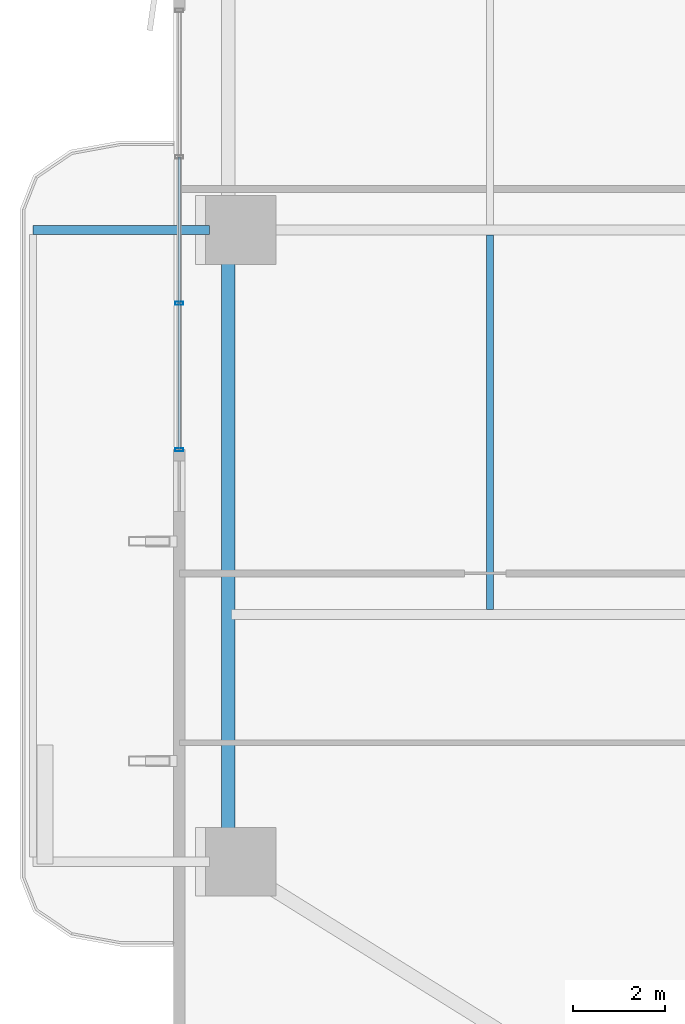
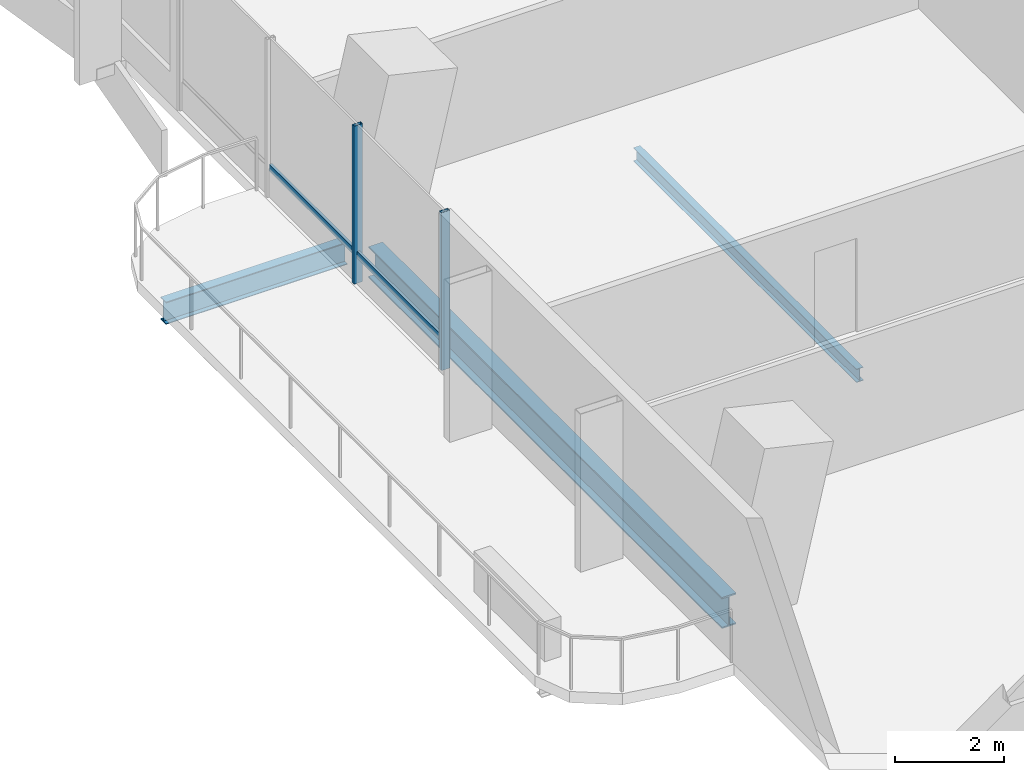
# One storey, part 4 of 24: 4 members, 3 beams, 1 element without a shape of its own.
"""IFC4 building model written with IfcOpenShell, lengths in metres."""

from ifc_helpers import new_model, si_unit, direction, frame, origin, origin_2d, place, context, subcontext, project, spatial, hollow_rectangle, i_section, extrude, material, layer, layer_set, material_profile, profile_set, type_object, element, aggregate, save


model = new_model("IFC4")

# Units and contexts
model_context = context("Model", 3, precision=1e-05, world=origin(), true_north=direction((0.0, 1.0)))
body_context = subcontext(model_context, "Body", "Model", "MODEL_VIEW")
ifc_project = project(units=[si_unit("LENGTHUNIT", "METRE"), si_unit("AREAUNIT", "SQUARE_METRE"), si_unit("VOLUMEUNIT", "CUBIC_METRE"), si_unit("PLANEANGLEUNIT", "RADIAN"), si_unit("MASSUNIT", "GRAM", prefix="KILO")], contexts=[model_context])

# Site, building, storey
site_placement = place(None, origin())
site = spatial("IfcSite", under=ifc_project, at=site_placement, CompositionType="ELEMENT")
building_placement = place(site_placement, origin())
building = spatial("IfcBuilding", under=site, at=building_placement, Name="Belovzor Exchange Tower", CompositionType="ELEMENT")
storey_placement = place(building_placement, frame((0.0, 0.0, 104.10009765625)))
storey = spatial("IfcBuildingStorey", under=building, at=storey_placement, Name="L25", CompositionType="ELEMENT", Elevation=104.10009765625)

# Beams
ifc_material_1 = material(Name="Steel S355", Category="steel")
ifc_material_profile_1 = material_profile(ifc_material_1, i_section(OverallWidth=0.199951171875, OverallDepth=0.5, WebThickness=0.01025390625, FlangeThickness=0.01611328125, at=origin_2d()))
ifc_profile_set_1 = profile_set([ifc_material_profile_1], Name="Steel S355")
beam_type_1 = type_object("IfcBeamType", Name="Planted Balcony Cantilever Beam IPE 500", PredefinedType="BEAM", material=ifc_profile_set_1)
beam_1_placement = place(storey_placement, frame((1.68798828125, 28.800048828125, -0.5), z_axis=(-1.0, 0.0, 0.0), x_axis=(0.0, -1.0, 0.0)))
element("IfcBeam", 1, at=beam_1_placement, inside=storey, type_object=beam_type_1, Name="BC-500 Planted Balcony Cantilever Beam IPE 500", PredefinedType="BEAM", context=body_context, shape_type="SweptSolid", body=[
    extrude(i_section(OverallWidth=0.199951171875, OverallDepth=0.5, WebThickness=0.01025390625, FlangeThickness=0.01611328125, at=origin_2d()), origin(), (0.0, 0.0, 1.0), 3.85009765625),
])
ifc_material_2 = material(Name="Steel S355", Category="steel")
ifc_material_profile_2 = material_profile(ifc_material_2, i_section(OverallWidth=0.14990234375, OverallDepth=0.300048828125, WebThickness=0.007080078125, FlangeThickness=0.0107421875, at=origin_2d()))
ifc_profile_set_2 = profile_set([ifc_material_profile_2], Name="Steel S355")
beam_type_2 = type_object("IfcBeamType", Name="Secondary Trim Floor Joist IPE 300", PredefinedType="BEAM", material=ifc_profile_set_2)
beam_2_placement = place(storey_placement, frame((7.81494140625, 20.5048828125, -0.400146484375), z_axis=(0.0, 1.0, 0.0), x_axis=(-1.0, 0.0, 0.0)))
element("IfcBeam", 2, at=beam_2_placement, inside=storey, type_object=beam_type_2, Name="FJ-300 Secondary Trim Floor Joist IPE 300", PredefinedType="BEAM", context=body_context, shape_type="SweptSolid", body=[
    extrude(i_section(OverallWidth=0.14990234375, OverallDepth=0.300048828125, WebThickness=0.007080078125, FlangeThickness=0.0107421875, at=origin_2d()), origin(), (0.0, 0.0, 1.0), 8.190185546875),
])

# Curtain wall, members
ifc_material_3 = material(Name="Anodised Aluminium Framing", Category="aluminium")
ifc_layer = layer(ifc_material_3, 0.179931640625)
ifc_layer_set = layer_set([ifc_layer], Name="Anodised Aluminium Framing")
curtain_wall_type = type_object("IfcCurtainWallType", Name="Recessed Loggia Low-Iron Triple-Glazed Curtain Wall", PredefinedType="NOTDEFINED", material=ifc_layer_set)
curtain_wall_placement = place(storey_placement, origin())
curtain_wall = element("IfcCurtainWall", 3, at=curtain_wall_placement, inside=storey, type_object=curtain_wall_type, Name="CW3 Recessed Loggia Low-Iron Triple-Glazed Curtain Wall L25", PredefinedType="NOTDEFINED")
ifc_material_4 = material(Name="Steel S355", Category="steel")
ifc_material_profile_3 = material_profile(ifc_material_4, hollow_rectangle(XDim=0.074951171875, YDim=0.179931640625, WallThickness=0.0048828125, at=origin_2d()))
ifc_profile_set_3 = profile_set([ifc_material_profile_3], Name="Steel S355")
member_type_1 = type_object("IfcMemberType", Name="Thermally Broken Curtain Wall Mullion 180x75", PredefinedType="MULLION", material=ifc_profile_set_3)
member_1_placement = place(storey_placement, frame((1.030029296875, 24.0, 0.0), z_axis=(0.0, 0.0, 1.0), x_axis=(0.0, 1.0, 0.0)))
member_1 = element("IfcMember", 4, at=member_1_placement, type_object=member_type_1, Name="CW-M180 Curtain Wall Mullion 1", PredefinedType="MULLION", context=body_context, shape_type="SweptSolid", body=[
    extrude(hollow_rectangle(XDim=0.074951171875, YDim=0.179931640625, WallThickness=0.0048828125, at=origin_2d()), origin(), (0.0, 0.0, 1.0), 3.539794921875),
])
member_2_placement = place(storey_placement, frame((1.030029296875, 27.199951171875, 0.0), z_axis=(0.0, 0.0, 1.0), x_axis=(0.0, 1.0, 0.0)))
member_2 = element("IfcMember", 5, at=member_2_placement, type_object=member_type_1, Name="CW-M180 Curtain Wall Mullion 2", PredefinedType="MULLION", context=body_context, shape_type="SweptSolid", body=[
    extrude(hollow_rectangle(XDim=0.074951171875, YDim=0.179931640625, WallThickness=0.0048828125, at=origin_2d()), origin(), (0.0, 0.0, 1.0), 3.539794921875),
])
ifc_material_5 = material(Name="Steel S355", Category="steel")
ifc_material_profile_4 = material_profile(ifc_material_5, hollow_rectangle(XDim=0.06005859375, YDim=0.14990234375, WallThickness=0.00390625, at=origin_2d()))
ifc_profile_set_4 = profile_set([ifc_material_profile_4], Name="Steel S355")
member_type_2 = type_object("IfcMemberType", Name="Thermally Broken Curtain Wall Transom 150x60", PredefinedType="USERDEFINED", material=ifc_profile_set_4)
member_3_placement = place(storey_placement, frame((1.030029296875, 24.008056640625, 0.636962890625), z_axis=(0.0, 1.0, 0.0), x_axis=(-1.0, 0.0, 0.0)))
member_3 = element("IfcMember", 6, at=member_3_placement, type_object=member_type_2, Name="CW-T150 Curtain Wall Transom 1", ObjectType="TRANSOM", PredefinedType="USERDEFINED", context=body_context, shape_type="SweptSolid", body=[
    extrude(hollow_rectangle(XDim=0.06005859375, YDim=0.14990234375, WallThickness=0.00390625, at=origin_2d()), origin(), (0.0, 0.0, 1.0), 3.183837890625),
])
member_4_placement = place(storey_placement, frame((1.030029296875, 27.2080078125, 0.636962890625), z_axis=(0.0, 1.0, 0.0), x_axis=(-1.0, 0.0, 0.0)))
member_4 = element("IfcMember", 7, at=member_4_placement, type_object=member_type_2, Name="CW-T150 Curtain Wall Transom 2", ObjectType="TRANSOM", PredefinedType="USERDEFINED", context=body_context, shape_type="SweptSolid", body=[
    extrude(hollow_rectangle(XDim=0.06005859375, YDim=0.14990234375, WallThickness=0.00390625, at=origin_2d()), origin(), (0.0, 0.0, 1.0), 3.18408203125),
])
aggregate(curtain_wall, [member_1, member_2, member_3, member_4])

# Beam
ifc_material_6 = material(Name="Steel S355", Category="steel")
ifc_material_profile_5 = material_profile(ifc_material_6, i_section(OverallWidth=0.300048828125, OverallDepth=0.699951171875, WebThickness=0.01708984375, FlangeThickness=0.031982421875, at=origin_2d()))
ifc_profile_set_5 = profile_set([ifc_material_profile_5], Name="Steel S355")
beam_type_3 = type_object("IfcBeamType", Name="Zone 1 Primary Perimeter Girder HEB 700", PredefinedType="BEAM", material=ifc_profile_set_5)
beam_3_placement = place(storey_placement, frame((2.10009765625, 28.386962890625, -0.60009765625), z_axis=(0.0, -1.0, 0.0), x_axis=(1.0, 0.0, 0.0)))
element("IfcBeam", 8, at=beam_3_placement, inside=storey, type_object=beam_type_3, Name="FG-Z1 Zone 1 Primary Perimeter Girder HEB 700", PredefinedType="BEAM", context=body_context, shape_type="SweptSolid", body=[
    extrude(i_section(OverallWidth=0.300048828125, OverallDepth=0.699951171875, WebThickness=0.01708984375, FlangeThickness=0.031982421875, at=origin_2d()), origin(), (0.0, 0.0, 1.0), 12.974853515625),
])

save(model, "model.ifc")
